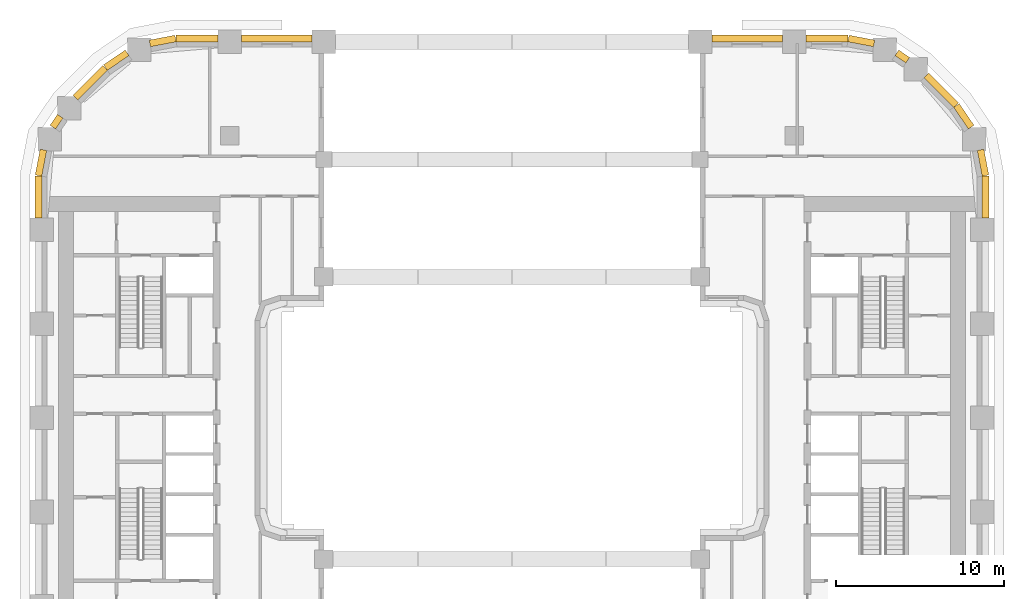
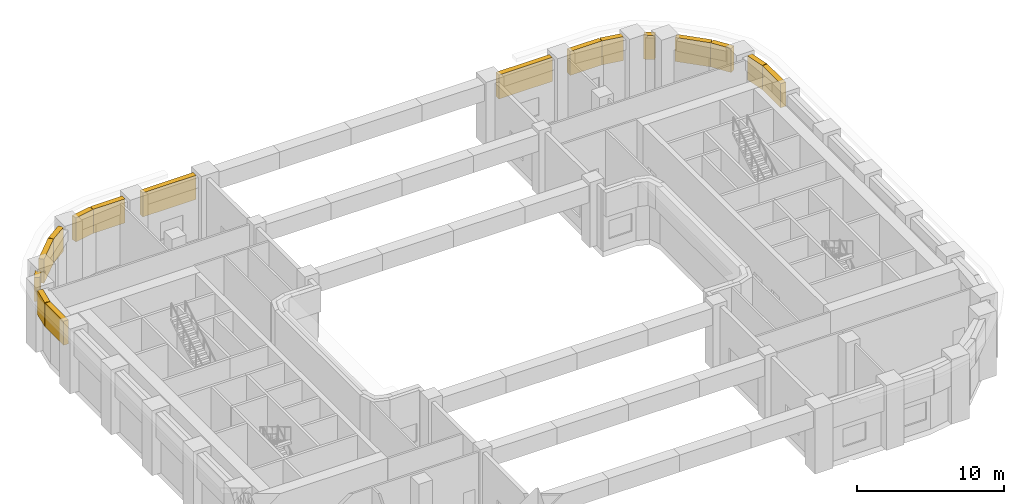
# One storey, part 14 of 14: 16 coverings.
"""IFC4 building model written with IfcOpenShell, lengths in metres."""

from ifc_helpers import new_model, si_unit, direction, frame, origin, origin_2d, place, context, subcontext, project, spatial, rectangle, extrude, material, type_object, element, save


model = new_model("IFC4")

# Units and contexts
model_context = context("Model", 3, precision=1e-05, world=origin(), true_north=direction((0.0, 1.0)))
body_context = subcontext(model_context, "Body", "Model", "MODEL_VIEW")
ifc_project = project(units=[si_unit("LENGTHUNIT", "METRE"), si_unit("AREAUNIT", "SQUARE_METRE"), si_unit("VOLUMEUNIT", "CUBIC_METRE"), si_unit("PLANEANGLEUNIT", "RADIAN"), si_unit("MASSUNIT", "GRAM", prefix="KILO")], contexts=[model_context])

# Site, building, storey
site_placement = place(None, origin())
site = spatial("IfcSite", under=ifc_project, at=site_placement, CompositionType="ELEMENT")
building_placement = place(site_placement, origin())
building = spatial("IfcBuilding", under=site, at=building_placement, Name="Kiln Ring Residences", CompositionType="ELEMENT")
storey_placement = place(building_placement, frame((0.0, 0.0, 77.89990234375)))
storey = spatial("IfcBuildingStorey", under=building, at=storey_placement, Name="L19", CompositionType="ELEMENT", Elevation=77.89990234375)

# Coverings
ifc_material = material(Name="Concrete C35/45, exposed aggregate finish", Category="concrete")
covering_type = type_object("IfcCoveringType", Name="TIE BAND 2000 x 400", PredefinedType="CLADDING", material=ifc_material)
covering_1_placement = place(storey_placement, frame((-14.0, 22.60009765625, 3.10009765625), z_axis=(0.0, 0.0, 1.0), x_axis=(-1.0, 0.0, 0.0)))
element("IfcCovering", 1, at=covering_1_placement, inside=storey, type_object=covering_type, Name="TIE BAND L19", PredefinedType="CLADDING", context=body_context, shape_type="SweptSolid", body=[
    extrude(rectangle(XDim=4.199951171875, YDim=0.39990234375, at=origin_2d()), origin(), (0.0, 0.0, 1.0), 2.0),
])
covering_2_placement = place(storey_placement, frame((-18.75, 22.60009765625, 3.10009765625), z_axis=(0.0, 0.0, 1.0), x_axis=(-1.0, 0.0, 0.0)))
element("IfcCovering", 2, at=covering_2_placement, inside=storey, type_object=covering_type, Name="TIE BAND L19", PredefinedType="CLADDING", context=body_context, shape_type="SweptSolid", body=[
    extrude(rectangle(XDim=2.5, YDim=0.39990234375, at=origin_2d()), origin(), (0.0, 0.0, 1.0), 2.0),
])
for number, where, z_axis, x_axis, name in (
    (3, (-20.8017578125, 22.45068359375, 3.10009765625), (0.0, 0.0, 1.0), (-0.98229025778, -0.187365550382, 0.0), "TIE BAND L19"),
    (4, (-23.56591796875, 21.3056640625, 3.10009765625), (0.0, 0.0, 1.0), (-0.827071553606, -0.562096651134, 0.0), "TIE BAND L19"),
):
    element("IfcCovering", number, at=place(storey_placement, frame(where, z_axis=z_axis, x_axis=x_axis)), inside=storey, type_object=covering_type, Name=name, PredefinedType="CLADDING", context=body_context, shape_type="SweptSolid", body=[
        extrude(rectangle(XDim=1.55615234375, YDim=0.39990234375, at=origin_2d()), origin(), (0.0, 0.0, 1.0), 2.0),
    ])
covering_3_placement = place(storey_placement, frame((-25.122314453125, 19.96044921875, 3.10009765625), z_axis=(0.0, 0.0, 1.0), x_axis=(-0.707106781187, -0.707106781187, 0.0)))
element("IfcCovering", 5, at=covering_3_placement, inside=storey, type_object=covering_type, Name="TIE BAND L19", PredefinedType="CLADDING", context=body_context, shape_type="SweptSolid", body=[
    extrude(rectangle(XDim=2.5, YDim=0.39990234375, at=origin_2d()), origin(), (0.0, 0.0, 1.0), 2.0),
])
covering_4_placement = place(storey_placement, frame((-27.12451171875, 17.643798828125, 3.10009765625), z_axis=(0.0, 0.0, 1.0), x_axis=(-0.562096651134, -0.827071553606, 0.0)))
element("IfcCovering", 6, at=covering_4_placement, inside=storey, type_object=covering_type, Name="TIE BAND L19", PredefinedType="CLADDING", context=body_context, shape_type="SweptSolid", body=[
    extrude(rectangle(XDim=0.777099609375, YDim=0.39990234375, at=origin_2d()), origin(), (0.0, 0.0, 1.0), 2.0),
])
covering_5_placement = place(storey_placement, frame((-28.05078125, 15.20166015625, 3.10009765625), z_axis=(0.0, 0.0, 1.0), x_axis=(-0.187365550382, -0.98229025778, 0.0)))
element("IfcCovering", 7, at=covering_5_placement, inside=storey, type_object=covering_type, Name="TIE BAND L19", PredefinedType="CLADDING", context=body_context, shape_type="SweptSolid", body=[
    extrude(rectangle(XDim=1.55615234375, YDim=0.39990234375, at=origin_2d()), origin(), (0.0, 0.0, 1.0), 2.0),
])
for number, where, z_axis, x_axis, name in (
    (8, (-28.199951171875, 13.14990234375, 3.10009765625), (0.0, 0.0, 1.0), (0.0, -1.0, 0.0), "TIE BAND L19"),
    (9, (28.199951171875, 13.14990234375, 3.10009765625), (0.0, 0.0, 1.0), (0.0, 1.0, 0.0), "TIE BAND L19"),
):
    element("IfcCovering", number, at=place(storey_placement, frame(where, z_axis=z_axis, x_axis=x_axis)), inside=storey, type_object=covering_type, Name=name, PredefinedType="CLADDING", context=body_context, shape_type="SweptSolid", body=[
        extrude(rectangle(XDim=2.5, YDim=0.39990234375, at=origin_2d()), origin(), (0.0, 0.0, 1.0), 2.0),
    ])
for number, where, z_axis, x_axis, name in (
    (10, (28.05078125, 15.20166015625, 3.10009765625), (0.0, 0.0, 1.0), (-0.187365550382, 0.98229025778, 0.0), "TIE BAND L19"),
    (11, (26.90576171875, 17.966064453125, 3.10009765625), (0.0, 0.0, 1.0), (-0.562096651134, 0.827071553606, 0.0), "TIE BAND L19"),
):
    element("IfcCovering", number, at=place(storey_placement, frame(where, z_axis=z_axis, x_axis=x_axis)), inside=storey, type_object=covering_type, Name=name, PredefinedType="CLADDING", context=body_context, shape_type="SweptSolid", body=[
        extrude(rectangle(XDim=1.55615234375, YDim=0.39990234375, at=origin_2d()), origin(), (0.0, 0.0, 1.0), 2.0),
    ])
covering_6_placement = place(storey_placement, frame((25.560546875, 19.5224609375, 3.10009765625), z_axis=(0.0, 0.0, 1.0), x_axis=(-0.707106781187, 0.707106781187, 0.0)))
element("IfcCovering", 12, at=covering_6_placement, inside=storey, type_object=covering_type, Name="TIE BAND L19", PredefinedType="CLADDING", context=body_context, shape_type="SweptSolid", body=[
    extrude(rectangle(XDim=2.5, YDim=0.39990234375, at=origin_2d()), origin(), (0.0, 0.0, 1.0), 2.0),
])
covering_7_placement = place(storey_placement, frame((23.243896484375, 21.524658203125, 3.10009765625), z_axis=(0.0, 0.0, 1.0), x_axis=(-0.827071553606, 0.562096651134, 0.0)))
element("IfcCovering", 13, at=covering_7_placement, inside=storey, type_object=covering_type, Name="TIE BAND L19", PredefinedType="CLADDING", context=body_context, shape_type="SweptSolid", body=[
    extrude(rectangle(XDim=0.777099609375, YDim=0.39990234375, at=origin_2d()), origin(), (0.0, 0.0, 1.0), 2.0),
])
covering_8_placement = place(storey_placement, frame((20.8017578125, 22.45068359375, 3.10009765625), z_axis=(0.0, 0.0, 1.0), x_axis=(-0.98229025778, 0.187365550382, 0.0)))
element("IfcCovering", 14, at=covering_8_placement, inside=storey, type_object=covering_type, Name="TIE BAND L19", PredefinedType="CLADDING", context=body_context, shape_type="SweptSolid", body=[
    extrude(rectangle(XDim=1.55615234375, YDim=0.39990234375, at=origin_2d()), origin(), (0.0, 0.0, 1.0), 2.0),
])
covering_9_placement = place(storey_placement, frame((18.75, 22.60009765625, 3.10009765625), z_axis=(0.0, 0.0, 1.0), x_axis=(-1.0, 0.0, 0.0)))
element("IfcCovering", 15, at=covering_9_placement, inside=storey, type_object=covering_type, Name="TIE BAND L19", PredefinedType="CLADDING", context=body_context, shape_type="SweptSolid", body=[
    extrude(rectangle(XDim=2.5, YDim=0.39990234375, at=origin_2d()), origin(), (0.0, 0.0, 1.0), 2.0),
])
covering_10_placement = place(storey_placement, frame((14.0, 22.60009765625, 3.10009765625), z_axis=(0.0, 0.0, 1.0), x_axis=(-1.0, 0.0, 0.0)))
element("IfcCovering", 16, at=covering_10_placement, inside=storey, type_object=covering_type, Name="TIE BAND L19", PredefinedType="CLADDING", context=body_context, shape_type="SweptSolid", body=[
    extrude(rectangle(XDim=4.199951171875, YDim=0.39990234375, at=origin_2d()), origin(), (0.0, 0.0, 1.0), 2.0),
])

save(model, "model.ifc")
